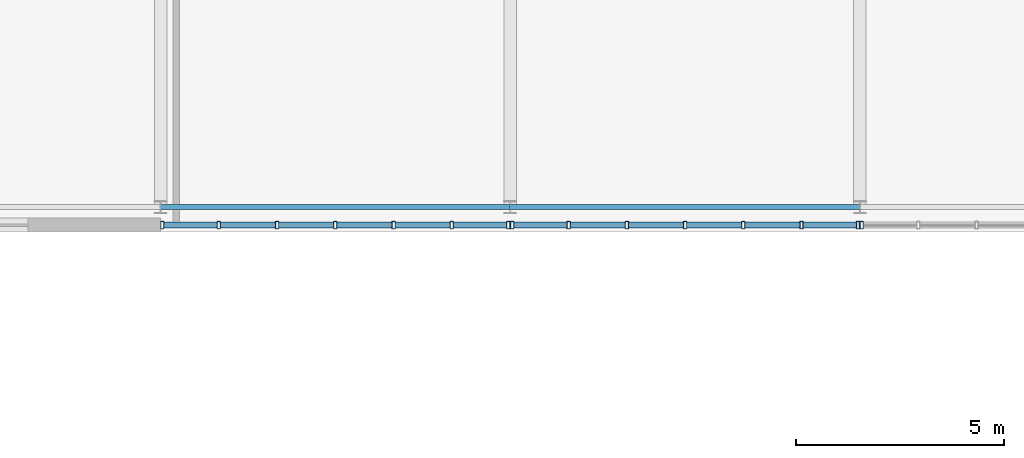
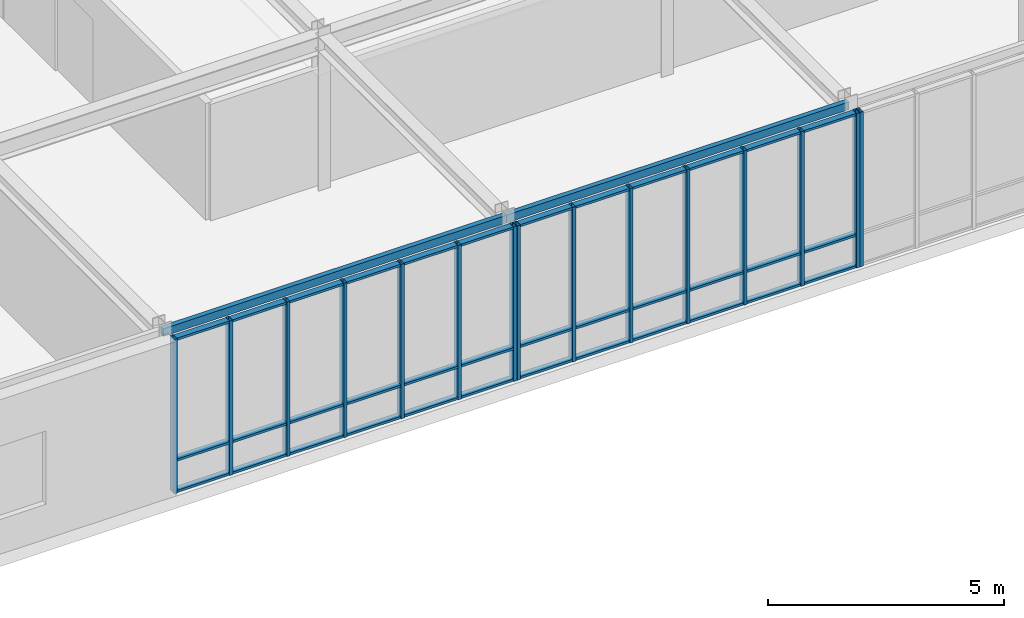
# One storey, part 80 of 127: 51 members, 2 beams, 3 elements without a shape of their own.
"""IFC4 building model written with IfcOpenShell, lengths in metres."""

from ifc_helpers import new_model, si_unit, direction, frame, origin, origin_2d, place, context, subcontext, project, spatial, hollow_rectangle, extrude, material, layer, layer_set, material_profile, profile_set, type_object, element, aggregate, save


model = new_model("IFC4")

# Units and contexts
model_context = context("Model", 3, precision=1e-05, world=origin(), true_north=direction((0.0, 1.0)))
body_context = subcontext(model_context, "Body", "Model", "MODEL_VIEW")
ifc_project = project(units=[si_unit("LENGTHUNIT", "METRE"), si_unit("AREAUNIT", "SQUARE_METRE"), si_unit("VOLUMEUNIT", "CUBIC_METRE"), si_unit("PLANEANGLEUNIT", "RADIAN"), si_unit("MASSUNIT", "GRAM", prefix="KILO")], contexts=[model_context])

# Site, building, storey
site_placement = place(None, origin())
site = spatial("IfcSite", under=ifc_project, at=site_placement, CompositionType="ELEMENT")
building_placement = place(site_placement, origin())
building = spatial("IfcBuilding", under=site, at=building_placement, Name="Zayran Congress Hotel", CompositionType="ELEMENT")
storey_placement = place(building_placement, frame((0.0, 0.0, 10.800048828125)))
storey = spatial("IfcBuildingStorey", under=building, at=storey_placement, Name="L02", CompositionType="ELEMENT", Elevation=10.800048828125)

# Beams
ifc_material_1 = material(Name="Steel S355", Category="steel")
ifc_material_profile_1 = material_profile(ifc_material_1, hollow_rectangle(XDim=0.1201171875, YDim=0.199951171875, WallThickness=0.008056640625, at=origin_2d()), Name="RHS 200x120x8")
ifc_profile_set_1 = profile_set([ifc_material_profile_1], Name="Steel S355")
beam_type = type_object("IfcBeamType", Name="TP-SP-02", PredefinedType="SPANDREL", material=ifc_profile_set_1)
beam_1_placement = place(storey_placement, frame((151.199951171875, 85.0, 3.89990234375), z_axis=(1.0, 0.0, 0.0), x_axis=(0.0, 1.0, 0.0)))
element("IfcBeam", 1, at=beam_1_placement, inside=storey, type_object=beam_type, Name="BM-V2-L02-1010", PredefinedType="SPANDREL", context=body_context, shape_type="SweptSolid", body=[
    extrude(hollow_rectangle(XDim=0.1201171875, YDim=0.199951171875, WallThickness=0.008056640625, at=origin_2d()), origin(), (0.0, 0.0, 1.0), 8.400146484375),
])
beam_2_placement = place(storey_placement, frame((159.60009765625, 85.0, 3.89990234375), z_axis=(1.0, 0.0, 0.0), x_axis=(0.0, 1.0, 0.0)))
element("IfcBeam", 2, at=beam_2_placement, inside=storey, type_object=beam_type, Name="BM-V2-L02-1011", PredefinedType="SPANDREL", context=body_context, shape_type="SweptSolid", body=[
    extrude(hollow_rectangle(XDim=0.1201171875, YDim=0.199951171875, WallThickness=0.008056640625, at=origin_2d()), origin(), (0.0, 0.0, 1.0), 8.39990234375),
])

# Curtain wall, members
ifc_material_2 = material(Name="Anodised aluminium and low-E insulated glass", Category="aluminium")
ifc_layer_1 = layer(ifc_material_2, 0.179931640625)
ifc_layer_set_1 = layer_set([ifc_layer_1], Name="Anodised aluminium and low-E insulated glass")
curtain_wall_type_1 = type_object("IfcCurtainWallType", Name="CW-V2S-L02-CW-V22-8395-4000", PredefinedType="USERDEFINED", material=ifc_layer_set_1)
curtain_wall_1_placement = place(storey_placement, origin())
curtain_wall_1 = element("IfcCurtainWall", 3, at=curtain_wall_1_placement, inside=storey, type_object=curtain_wall_type_1, Name="CW-V2S-L02-1", ObjectType="CURTAIN WALL", PredefinedType="USERDEFINED")
ifc_material_3 = material(Name="Anodised aluminium framing", Category="aluminium")
ifc_material_profile_2 = material_profile(ifc_material_3, hollow_rectangle(XDim=0.080078125, YDim=0.179931640625, WallThickness=0.0048828125, at=origin_2d()), Name="RHS 180x80x5")
ifc_profile_set_2 = profile_set([ifc_material_profile_2], Name="Anodised aluminium framing")
member_type_1 = type_object("IfcMemberType", Name="TP-CWM-01", PredefinedType="MULLION", material=ifc_profile_set_2)
member_1_placement = place(storey_placement, frame((151.239990234375, 84.570068359375, 0.0), z_axis=(0.0, 0.0, 1.0), x_axis=(1.0, 0.0, 0.0)))
member_1 = element("IfcMember", 4, at=member_1_placement, type_object=member_type_1, Name="CW-V2S-L02-1-M00", PredefinedType="MULLION", context=body_context, shape_type="SweptSolid", body=[
    extrude(hollow_rectangle(XDim=0.080078125, YDim=0.179931640625, WallThickness=0.0048828125, at=origin_2d()), origin(), (0.0, 0.0, 1.0), 4.0),
])
member_2_placement = place(storey_placement, frame((152.59912109375, 84.570068359375, 0.0), z_axis=(0.0, 0.0, 1.0), x_axis=(1.0, 0.0, 0.0)))
member_2 = element("IfcMember", 5, at=member_2_placement, type_object=member_type_1, Name="CW-V2S-L02-1-M01", PredefinedType="MULLION", context=body_context, shape_type="SweptSolid", body=[
    extrude(hollow_rectangle(XDim=0.080078125, YDim=0.179931640625, WallThickness=0.0048828125, at=origin_2d()), origin(), (0.0, 0.0, 1.0), 4.0),
])
member_3_placement = place(storey_placement, frame((153.998291015625, 84.570068359375, 0.0), z_axis=(0.0, 0.0, 1.0), x_axis=(1.0, 0.0, 0.0)))
member_3 = element("IfcMember", 6, at=member_3_placement, type_object=member_type_1, Name="CW-V2S-L02-1-M02", PredefinedType="MULLION", context=body_context, shape_type="SweptSolid", body=[
    extrude(hollow_rectangle(XDim=0.080078125, YDim=0.179931640625, WallThickness=0.0048828125, at=origin_2d()), origin(), (0.0, 0.0, 1.0), 4.0),
])
member_4_placement = place(storey_placement, frame((155.3974609375, 84.570068359375, 0.0), z_axis=(0.0, 0.0, 1.0), x_axis=(1.0, 0.0, 0.0)))
member_4 = element("IfcMember", 7, at=member_4_placement, type_object=member_type_1, Name="CW-V2S-L02-1-M03", PredefinedType="MULLION", context=body_context, shape_type="SweptSolid", body=[
    extrude(hollow_rectangle(XDim=0.080078125, YDim=0.179931640625, WallThickness=0.0048828125, at=origin_2d()), origin(), (0.0, 0.0, 1.0), 4.0),
])
member_5_placement = place(storey_placement, frame((156.796630859375, 84.570068359375, 0.0), z_axis=(0.0, 0.0, 1.0), x_axis=(1.0, 0.0, 0.0)))
member_5 = element("IfcMember", 8, at=member_5_placement, type_object=member_type_1, Name="CW-V2S-L02-1-M04", PredefinedType="MULLION", context=body_context, shape_type="SweptSolid", body=[
    extrude(hollow_rectangle(XDim=0.080078125, YDim=0.179931640625, WallThickness=0.0048828125, at=origin_2d()), origin(), (0.0, 0.0, 1.0), 4.0),
])
member_6_placement = place(storey_placement, frame((158.19580078125, 84.570068359375, 0.0), z_axis=(0.0, 0.0, 1.0), x_axis=(1.0, 0.0, 0.0)))
member_6 = element("IfcMember", 9, at=member_6_placement, type_object=member_type_1, Name="CW-V2S-L02-1-M05", PredefinedType="MULLION", context=body_context, shape_type="SweptSolid", body=[
    extrude(hollow_rectangle(XDim=0.080078125, YDim=0.179931640625, WallThickness=0.0048828125, at=origin_2d()), origin(), (0.0, 0.0, 1.0), 4.0),
])
member_7_placement = place(storey_placement, frame((159.554931640625, 84.570068359375, 0.0), z_axis=(0.0, 0.0, 1.0), x_axis=(1.0, 0.0, 0.0)))
member_7 = element("IfcMember", 10, at=member_7_placement, type_object=member_type_1, Name="CW-V2S-L02-1-M06", PredefinedType="MULLION", context=body_context, shape_type="SweptSolid", body=[
    extrude(hollow_rectangle(XDim=0.080078125, YDim=0.179931640625, WallThickness=0.0048828125, at=origin_2d()), origin(), (0.0, 0.0, 1.0), 4.0),
])

ifc_layer_2 = layer(ifc_material_2, 0.179931640625)
ifc_layer_set_2 = layer_set([ifc_layer_2], Name="Anodised aluminium and low-E insulated glass")
curtain_wall_type_2 = type_object("IfcCurtainWallType", Name="CW-V2S-L02-CW-V21-8390-4000", PredefinedType="USERDEFINED", material=ifc_layer_set_2)
curtain_wall_2_placement = place(storey_placement, origin())
curtain_wall_2 = element("IfcCurtainWall", 11, at=curtain_wall_2_placement, inside=storey, type_object=curtain_wall_type_2, Name="CW-V2S-L02-2", ObjectType="CURTAIN WALL", PredefinedType="USERDEFINED")
member_8_placement = place(storey_placement, frame((159.64501953125, 84.570068359375, 0.0), z_axis=(0.0, 0.0, 1.0), x_axis=(1.0, 0.0, 0.0)))
member_8 = element("IfcMember", 12, at=member_8_placement, type_object=member_type_1, Name="CW-V2S-L02-2-M00", PredefinedType="MULLION", context=body_context, shape_type="SweptSolid", body=[
    extrude(hollow_rectangle(XDim=0.080078125, YDim=0.179931640625, WallThickness=0.0048828125, at=origin_2d()), origin(), (0.0, 0.0, 1.0), 4.0),
])
member_9_placement = place(storey_placement, frame((161.00341796875, 84.570068359375, 0.0), z_axis=(0.0, 0.0, 1.0), x_axis=(1.0, 0.0, 0.0)))
member_9 = element("IfcMember", 13, at=member_9_placement, type_object=member_type_1, Name="CW-V2S-L02-2-M01", PredefinedType="MULLION", context=body_context, shape_type="SweptSolid", body=[
    extrude(hollow_rectangle(XDim=0.080078125, YDim=0.179931640625, WallThickness=0.0048828125, at=origin_2d()), origin(), (0.0, 0.0, 1.0), 4.0),
])
member_10_placement = place(storey_placement, frame((162.401611328125, 84.570068359375, 0.0), z_axis=(0.0, 0.0, 1.0), x_axis=(1.0, 0.0, 0.0)))
member_10 = element("IfcMember", 14, at=member_10_placement, type_object=member_type_1, Name="CW-V2S-L02-2-M02", PredefinedType="MULLION", context=body_context, shape_type="SweptSolid", body=[
    extrude(hollow_rectangle(XDim=0.080078125, YDim=0.179931640625, WallThickness=0.0048828125, at=origin_2d()), origin(), (0.0, 0.0, 1.0), 4.0),
])
member_11_placement = place(storey_placement, frame((163.800048828125, 84.570068359375, 0.0), z_axis=(0.0, 0.0, 1.0), x_axis=(1.0, 0.0, 0.0)))
member_11 = element("IfcMember", 15, at=member_11_placement, type_object=member_type_1, Name="CW-V2S-L02-2-M03", PredefinedType="MULLION", context=body_context, shape_type="SweptSolid", body=[
    extrude(hollow_rectangle(XDim=0.080078125, YDim=0.179931640625, WallThickness=0.0048828125, at=origin_2d()), origin(), (0.0, 0.0, 1.0), 4.0),
])
member_12_placement = place(storey_placement, frame((165.1982421875, 84.570068359375, 0.0), z_axis=(0.0, 0.0, 1.0), x_axis=(1.0, 0.0, 0.0)))
member_12 = element("IfcMember", 16, at=member_12_placement, type_object=member_type_1, Name="CW-V2S-L02-2-M04", PredefinedType="MULLION", context=body_context, shape_type="SweptSolid", body=[
    extrude(hollow_rectangle(XDim=0.080078125, YDim=0.179931640625, WallThickness=0.0048828125, at=origin_2d()), origin(), (0.0, 0.0, 1.0), 4.0),
])
member_13_placement = place(storey_placement, frame((166.5966796875, 84.570068359375, 0.0), z_axis=(0.0, 0.0, 1.0), x_axis=(1.0, 0.0, 0.0)))
member_13 = element("IfcMember", 17, at=member_13_placement, type_object=member_type_1, Name="CW-V2S-L02-2-M05", PredefinedType="MULLION", context=body_context, shape_type="SweptSolid", body=[
    extrude(hollow_rectangle(XDim=0.080078125, YDim=0.179931640625, WallThickness=0.0048828125, at=origin_2d()), origin(), (0.0, 0.0, 1.0), 4.0),
])
member_14_placement = place(storey_placement, frame((167.955078125, 84.570068359375, 0.0), z_axis=(0.0, 0.0, 1.0), x_axis=(1.0, 0.0, 0.0)))
member_14 = element("IfcMember", 18, at=member_14_placement, type_object=member_type_1, Name="CW-V2S-L02-2-M06", PredefinedType="MULLION", context=body_context, shape_type="SweptSolid", body=[
    extrude(hollow_rectangle(XDim=0.080078125, YDim=0.179931640625, WallThickness=0.0048828125, at=origin_2d()), origin(), (0.0, 0.0, 1.0), 4.0),
])

# Curtain wall, member
ifc_layer_3 = layer(ifc_material_2, 0.179931640625)
ifc_layer_set_3 = layer_set([ifc_layer_3], Name="Anodised aluminium and low-E insulated glass")
curtain_wall_type_3 = type_object("IfcCurtainWallType", Name="CW-V2S-L02-CW-V22-8390-4000", PredefinedType="USERDEFINED", material=ifc_layer_set_3)
curtain_wall_3_placement = place(storey_placement, origin())
curtain_wall_3 = element("IfcCurtainWall", 19, at=curtain_wall_3_placement, inside=storey, type_object=curtain_wall_type_3, Name="CW-V2S-L02-3", ObjectType="CURTAIN WALL", PredefinedType="USERDEFINED")
member_15_placement = place(storey_placement, frame((168.044921875, 84.570068359375, 0.0), z_axis=(0.0, 0.0, 1.0), x_axis=(1.0, 0.0, 0.0)))
member_15 = element("IfcMember", 20, at=member_15_placement, type_object=member_type_1, Name="CW-V2S-L02-3-M00", PredefinedType="MULLION", context=body_context, shape_type="SweptSolid", body=[
    extrude(hollow_rectangle(XDim=0.080078125, YDim=0.179931640625, WallThickness=0.0048828125, at=origin_2d()), origin(), (0.0, 0.0, 1.0), 4.0),
])
aggregate(curtain_wall_3, [member_15])

# Member
ifc_material_profile_3 = material_profile(ifc_material_3, hollow_rectangle(XDim=0.06005859375, YDim=0.14990234375, WallThickness=0.00390625, at=origin_2d()), Name="RHS 150x60x4")
ifc_profile_set_3 = profile_set([ifc_material_profile_3], Name="Anodised aluminium framing")
member_type_2 = type_object("IfcMemberType", Name="TP-CWT-01", PredefinedType="USERDEFINED", material=ifc_profile_set_3)
member_16_placement = place(storey_placement, frame((151.280029296875, 84.570068359375, 0.030029296875), z_axis=(1.0, 0.0, 0.0), x_axis=(0.0, 0.0, 1.0)))
member_16 = element("IfcMember", 21, at=member_16_placement, type_object=member_type_2, Name="CW-V2S-L02-1-T00-0", ObjectType="TRANSOM", PredefinedType="USERDEFINED", context=body_context, shape_type="SweptSolid", body=[
    extrude(hollow_rectangle(XDim=0.06005859375, YDim=0.14990234375, WallThickness=0.00390625, at=origin_2d()), origin(), (0.0, 0.0, 1.0), 1.279052734375),
])

member_17_placement = place(storey_placement, frame((151.280029296875, 84.570068359375, 0.83984375), z_axis=(1.0, 0.0, 0.0), x_axis=(0.0, 0.0, 1.0)))
member_17 = element("IfcMember", 22, at=member_17_placement, type_object=member_type_2, Name="CW-V2S-L02-1-T00-1", ObjectType="TRANSOM", PredefinedType="USERDEFINED", context=body_context, shape_type="SweptSolid", body=[
    extrude(hollow_rectangle(XDim=0.06005859375, YDim=0.14990234375, WallThickness=0.00390625, at=origin_2d()), origin(), (0.0, 0.0, 1.0), 1.279052734375),
])

member_18_placement = place(storey_placement, frame((151.280029296875, 84.570068359375, 3.969970703125), z_axis=(1.0, 0.0, 0.0), x_axis=(0.0, 0.0, 1.0)))
member_18 = element("IfcMember", 23, at=member_18_placement, type_object=member_type_2, Name="CW-V2S-L02-1-T00-2", ObjectType="TRANSOM", PredefinedType="USERDEFINED", context=body_context, shape_type="SweptSolid", body=[
    extrude(hollow_rectangle(XDim=0.06005859375, YDim=0.14990234375, WallThickness=0.00390625, at=origin_2d()), origin(), (0.0, 0.0, 1.0), 1.279052734375),
])

member_19_placement = place(storey_placement, frame((152.63916015625, 84.570068359375, 0.030029296875), z_axis=(1.0, 0.0, 0.0), x_axis=(0.0, 0.0, 1.0)))
member_19 = element("IfcMember", 24, at=member_19_placement, type_object=member_type_2, Name="CW-V2S-L02-1-T01-0", ObjectType="TRANSOM", PredefinedType="USERDEFINED", context=body_context, shape_type="SweptSolid", body=[
    extrude(hollow_rectangle(XDim=0.06005859375, YDim=0.14990234375, WallThickness=0.00390625, at=origin_2d()), origin(), (0.0, 0.0, 1.0), 1.319091796875),
])

member_20_placement = place(storey_placement, frame((152.63916015625, 84.570068359375, 0.83984375), z_axis=(1.0, 0.0, 0.0), x_axis=(0.0, 0.0, 1.0)))
member_20 = element("IfcMember", 25, at=member_20_placement, type_object=member_type_2, Name="CW-V2S-L02-1-T01-1", ObjectType="TRANSOM", PredefinedType="USERDEFINED", context=body_context, shape_type="SweptSolid", body=[
    extrude(hollow_rectangle(XDim=0.06005859375, YDim=0.14990234375, WallThickness=0.00390625, at=origin_2d()), origin(), (0.0, 0.0, 1.0), 1.319091796875),
])

member_21_placement = place(storey_placement, frame((152.63916015625, 84.570068359375, 3.969970703125), z_axis=(1.0, 0.0, 0.0), x_axis=(0.0, 0.0, 1.0)))
member_21 = element("IfcMember", 26, at=member_21_placement, type_object=member_type_2, Name="CW-V2S-L02-1-T01-2", ObjectType="TRANSOM", PredefinedType="USERDEFINED", context=body_context, shape_type="SweptSolid", body=[
    extrude(hollow_rectangle(XDim=0.06005859375, YDim=0.14990234375, WallThickness=0.00390625, at=origin_2d()), origin(), (0.0, 0.0, 1.0), 1.319091796875),
])

member_22_placement = place(storey_placement, frame((154.038330078125, 84.570068359375, 0.030029296875), z_axis=(1.0, 0.0, 0.0), x_axis=(0.0, 0.0, 1.0)))
member_22 = element("IfcMember", 27, at=member_22_placement, type_object=member_type_2, Name="CW-V2S-L02-1-T02-0", ObjectType="TRANSOM", PredefinedType="USERDEFINED", context=body_context, shape_type="SweptSolid", body=[
    extrude(hollow_rectangle(XDim=0.06005859375, YDim=0.14990234375, WallThickness=0.00390625, at=origin_2d()), origin(), (0.0, 0.0, 1.0), 1.319091796875),
])

member_23_placement = place(storey_placement, frame((154.038330078125, 84.570068359375, 0.83984375), z_axis=(1.0, 0.0, 0.0), x_axis=(0.0, 0.0, 1.0)))
member_23 = element("IfcMember", 28, at=member_23_placement, type_object=member_type_2, Name="CW-V2S-L02-1-T02-1", ObjectType="TRANSOM", PredefinedType="USERDEFINED", context=body_context, shape_type="SweptSolid", body=[
    extrude(hollow_rectangle(XDim=0.06005859375, YDim=0.14990234375, WallThickness=0.00390625, at=origin_2d()), origin(), (0.0, 0.0, 1.0), 1.319091796875),
])

member_24_placement = place(storey_placement, frame((154.038330078125, 84.570068359375, 3.969970703125), z_axis=(1.0, 0.0, 0.0), x_axis=(0.0, 0.0, 1.0)))
member_24 = element("IfcMember", 29, at=member_24_placement, type_object=member_type_2, Name="CW-V2S-L02-1-T02-2", ObjectType="TRANSOM", PredefinedType="USERDEFINED", context=body_context, shape_type="SweptSolid", body=[
    extrude(hollow_rectangle(XDim=0.06005859375, YDim=0.14990234375, WallThickness=0.00390625, at=origin_2d()), origin(), (0.0, 0.0, 1.0), 1.319091796875),
])

member_25_placement = place(storey_placement, frame((155.4375, 84.570068359375, 0.030029296875), z_axis=(1.0, 0.0, 0.0), x_axis=(0.0, 0.0, 1.0)))
member_25 = element("IfcMember", 30, at=member_25_placement, type_object=member_type_2, Name="CW-V2S-L02-1-T03-0", ObjectType="TRANSOM", PredefinedType="USERDEFINED", context=body_context, shape_type="SweptSolid", body=[
    extrude(hollow_rectangle(XDim=0.06005859375, YDim=0.14990234375, WallThickness=0.00390625, at=origin_2d()), origin(), (0.0, 0.0, 1.0), 1.319091796875),
])

member_26_placement = place(storey_placement, frame((155.4375, 84.570068359375, 0.83984375), z_axis=(1.0, 0.0, 0.0), x_axis=(0.0, 0.0, 1.0)))
member_26 = element("IfcMember", 31, at=member_26_placement, type_object=member_type_2, Name="CW-V2S-L02-1-T03-1", ObjectType="TRANSOM", PredefinedType="USERDEFINED", context=body_context, shape_type="SweptSolid", body=[
    extrude(hollow_rectangle(XDim=0.06005859375, YDim=0.14990234375, WallThickness=0.00390625, at=origin_2d()), origin(), (0.0, 0.0, 1.0), 1.319091796875),
])

member_27_placement = place(storey_placement, frame((155.4375, 84.570068359375, 3.969970703125), z_axis=(1.0, 0.0, 0.0), x_axis=(0.0, 0.0, 1.0)))
member_27 = element("IfcMember", 32, at=member_27_placement, type_object=member_type_2, Name="CW-V2S-L02-1-T03-2", ObjectType="TRANSOM", PredefinedType="USERDEFINED", context=body_context, shape_type="SweptSolid", body=[
    extrude(hollow_rectangle(XDim=0.06005859375, YDim=0.14990234375, WallThickness=0.00390625, at=origin_2d()), origin(), (0.0, 0.0, 1.0), 1.319091796875),
])

member_28_placement = place(storey_placement, frame((156.836669921875, 84.570068359375, 0.030029296875), z_axis=(1.0, 0.0, 0.0), x_axis=(0.0, 0.0, 1.0)))
member_28 = element("IfcMember", 33, at=member_28_placement, type_object=member_type_2, Name="CW-V2S-L02-1-T04-0", ObjectType="TRANSOM", PredefinedType="USERDEFINED", context=body_context, shape_type="SweptSolid", body=[
    extrude(hollow_rectangle(XDim=0.06005859375, YDim=0.14990234375, WallThickness=0.00390625, at=origin_2d()), origin(), (0.0, 0.0, 1.0), 1.319091796875),
])

member_29_placement = place(storey_placement, frame((156.836669921875, 84.570068359375, 0.83984375), z_axis=(1.0, 0.0, 0.0), x_axis=(0.0, 0.0, 1.0)))
member_29 = element("IfcMember", 34, at=member_29_placement, type_object=member_type_2, Name="CW-V2S-L02-1-T04-1", ObjectType="TRANSOM", PredefinedType="USERDEFINED", context=body_context, shape_type="SweptSolid", body=[
    extrude(hollow_rectangle(XDim=0.06005859375, YDim=0.14990234375, WallThickness=0.00390625, at=origin_2d()), origin(), (0.0, 0.0, 1.0), 1.319091796875),
])

member_30_placement = place(storey_placement, frame((156.836669921875, 84.570068359375, 3.969970703125), z_axis=(1.0, 0.0, 0.0), x_axis=(0.0, 0.0, 1.0)))
member_30 = element("IfcMember", 35, at=member_30_placement, type_object=member_type_2, Name="CW-V2S-L02-1-T04-2", ObjectType="TRANSOM", PredefinedType="USERDEFINED", context=body_context, shape_type="SweptSolid", body=[
    extrude(hollow_rectangle(XDim=0.06005859375, YDim=0.14990234375, WallThickness=0.00390625, at=origin_2d()), origin(), (0.0, 0.0, 1.0), 1.319091796875),
])

member_31_placement = place(storey_placement, frame((158.23583984375, 84.570068359375, 0.030029296875), z_axis=(1.0, 0.0, 0.0), x_axis=(0.0, 0.0, 1.0)))
member_31 = element("IfcMember", 36, at=member_31_placement, type_object=member_type_2, Name="CW-V2S-L02-1-T05-0", ObjectType="TRANSOM", PredefinedType="USERDEFINED", context=body_context, shape_type="SweptSolid", body=[
    extrude(hollow_rectangle(XDim=0.06005859375, YDim=0.14990234375, WallThickness=0.00390625, at=origin_2d()), origin(), (0.0, 0.0, 1.0), 1.279052734375),
])

member_32_placement = place(storey_placement, frame((158.23583984375, 84.570068359375, 0.83984375), z_axis=(1.0, 0.0, 0.0), x_axis=(0.0, 0.0, 1.0)))
member_32 = element("IfcMember", 37, at=member_32_placement, type_object=member_type_2, Name="CW-V2S-L02-1-T05-1", ObjectType="TRANSOM", PredefinedType="USERDEFINED", context=body_context, shape_type="SweptSolid", body=[
    extrude(hollow_rectangle(XDim=0.06005859375, YDim=0.14990234375, WallThickness=0.00390625, at=origin_2d()), origin(), (0.0, 0.0, 1.0), 1.279052734375),
])

member_33_placement = place(storey_placement, frame((158.23583984375, 84.570068359375, 3.969970703125), z_axis=(1.0, 0.0, 0.0), x_axis=(0.0, 0.0, 1.0)))
member_33 = element("IfcMember", 38, at=member_33_placement, type_object=member_type_2, Name="CW-V2S-L02-1-T05-2", ObjectType="TRANSOM", PredefinedType="USERDEFINED", context=body_context, shape_type="SweptSolid", body=[
    extrude(hollow_rectangle(XDim=0.06005859375, YDim=0.14990234375, WallThickness=0.00390625, at=origin_2d()), origin(), (0.0, 0.0, 1.0), 1.279052734375),
])

aggregate(curtain_wall_1, [member_1, member_2, member_3, member_4, member_5, member_6, member_7, member_16, member_17, member_18, member_19, member_20, member_21, member_22, member_23, member_24, member_25, member_26, member_27, member_28, member_29, member_30, member_31, member_32, member_33])

member_34_placement = place(storey_placement, frame((159.68505859375, 84.570068359375, 0.030029296875), z_axis=(1.0, 0.0, 0.0), x_axis=(0.0, 0.0, 1.0)))
member_34 = element("IfcMember", 39, at=member_34_placement, type_object=member_type_2, Name="CW-V2S-L02-2-T00-0", ObjectType="TRANSOM", PredefinedType="USERDEFINED", context=body_context, shape_type="SweptSolid", body=[
    extrude(hollow_rectangle(XDim=0.06005859375, YDim=0.14990234375, WallThickness=0.00390625, at=origin_2d()), origin(), (0.0, 0.0, 1.0), 1.2783203125),
])

member_35_placement = place(storey_placement, frame((159.68505859375, 84.570068359375, 0.83984375), z_axis=(1.0, 0.0, 0.0), x_axis=(0.0, 0.0, 1.0)))
member_35 = element("IfcMember", 40, at=member_35_placement, type_object=member_type_2, Name="CW-V2S-L02-2-T00-1", ObjectType="TRANSOM", PredefinedType="USERDEFINED", context=body_context, shape_type="SweptSolid", body=[
    extrude(hollow_rectangle(XDim=0.06005859375, YDim=0.14990234375, WallThickness=0.00390625, at=origin_2d()), origin(), (0.0, 0.0, 1.0), 1.2783203125),
])

member_36_placement = place(storey_placement, frame((159.68505859375, 84.570068359375, 3.969970703125), z_axis=(1.0, 0.0, 0.0), x_axis=(0.0, 0.0, 1.0)))
member_36 = element("IfcMember", 41, at=member_36_placement, type_object=member_type_2, Name="CW-V2S-L02-2-T00-2", ObjectType="TRANSOM", PredefinedType="USERDEFINED", context=body_context, shape_type="SweptSolid", body=[
    extrude(hollow_rectangle(XDim=0.06005859375, YDim=0.14990234375, WallThickness=0.00390625, at=origin_2d()), origin(), (0.0, 0.0, 1.0), 1.2783203125),
])

member_37_placement = place(storey_placement, frame((161.043212890625, 84.570068359375, 0.030029296875), z_axis=(1.0, 0.0, 0.0), x_axis=(0.0, 0.0, 1.0)))
member_37 = element("IfcMember", 42, at=member_37_placement, type_object=member_type_2, Name="CW-V2S-L02-2-T01-0", ObjectType="TRANSOM", PredefinedType="USERDEFINED", context=body_context, shape_type="SweptSolid", body=[
    extrude(hollow_rectangle(XDim=0.06005859375, YDim=0.14990234375, WallThickness=0.00390625, at=origin_2d()), origin(), (0.0, 0.0, 1.0), 1.318603515625),
])

member_38_placement = place(storey_placement, frame((161.043212890625, 84.570068359375, 0.83984375), z_axis=(1.0, 0.0, 0.0), x_axis=(0.0, 0.0, 1.0)))
member_38 = element("IfcMember", 43, at=member_38_placement, type_object=member_type_2, Name="CW-V2S-L02-2-T01-1", ObjectType="TRANSOM", PredefinedType="USERDEFINED", context=body_context, shape_type="SweptSolid", body=[
    extrude(hollow_rectangle(XDim=0.06005859375, YDim=0.14990234375, WallThickness=0.00390625, at=origin_2d()), origin(), (0.0, 0.0, 1.0), 1.318603515625),
])

member_39_placement = place(storey_placement, frame((161.043212890625, 84.570068359375, 3.969970703125), z_axis=(1.0, 0.0, 0.0), x_axis=(0.0, 0.0, 1.0)))
member_39 = element("IfcMember", 44, at=member_39_placement, type_object=member_type_2, Name="CW-V2S-L02-2-T01-2", ObjectType="TRANSOM", PredefinedType="USERDEFINED", context=body_context, shape_type="SweptSolid", body=[
    extrude(hollow_rectangle(XDim=0.06005859375, YDim=0.14990234375, WallThickness=0.00390625, at=origin_2d()), origin(), (0.0, 0.0, 1.0), 1.318603515625),
])

member_40_placement = place(storey_placement, frame((162.441650390625, 84.570068359375, 0.030029296875), z_axis=(1.0, 0.0, 0.0), x_axis=(0.0, 0.0, 1.0)))
member_40 = element("IfcMember", 45, at=member_40_placement, type_object=member_type_2, Name="CW-V2S-L02-2-T02-0", ObjectType="TRANSOM", PredefinedType="USERDEFINED", context=body_context, shape_type="SweptSolid", body=[
    extrude(hollow_rectangle(XDim=0.06005859375, YDim=0.14990234375, WallThickness=0.00390625, at=origin_2d()), origin(), (0.0, 0.0, 1.0), 1.318359375),
])

member_41_placement = place(storey_placement, frame((162.441650390625, 84.570068359375, 0.83984375), z_axis=(1.0, 0.0, 0.0), x_axis=(0.0, 0.0, 1.0)))
member_41 = element("IfcMember", 46, at=member_41_placement, type_object=member_type_2, Name="CW-V2S-L02-2-T02-1", ObjectType="TRANSOM", PredefinedType="USERDEFINED", context=body_context, shape_type="SweptSolid", body=[
    extrude(hollow_rectangle(XDim=0.06005859375, YDim=0.14990234375, WallThickness=0.00390625, at=origin_2d()), origin(), (0.0, 0.0, 1.0), 1.318359375),
])

member_42_placement = place(storey_placement, frame((162.441650390625, 84.570068359375, 3.969970703125), z_axis=(1.0, 0.0, 0.0), x_axis=(0.0, 0.0, 1.0)))
member_42 = element("IfcMember", 47, at=member_42_placement, type_object=member_type_2, Name="CW-V2S-L02-2-T02-2", ObjectType="TRANSOM", PredefinedType="USERDEFINED", context=body_context, shape_type="SweptSolid", body=[
    extrude(hollow_rectangle(XDim=0.06005859375, YDim=0.14990234375, WallThickness=0.00390625, at=origin_2d()), origin(), (0.0, 0.0, 1.0), 1.318359375),
])

member_43_placement = place(storey_placement, frame((163.840087890625, 84.570068359375, 0.030029296875), z_axis=(1.0, 0.0, 0.0), x_axis=(0.0, 0.0, 1.0)))
member_43 = element("IfcMember", 48, at=member_43_placement, type_object=member_type_2, Name="CW-V2S-L02-2-T03-0", ObjectType="TRANSOM", PredefinedType="USERDEFINED", context=body_context, shape_type="SweptSolid", body=[
    extrude(hollow_rectangle(XDim=0.06005859375, YDim=0.14990234375, WallThickness=0.00390625, at=origin_2d()), origin(), (0.0, 0.0, 1.0), 1.318115234375),
])

member_44_placement = place(storey_placement, frame((163.840087890625, 84.570068359375, 0.83984375), z_axis=(1.0, 0.0, 0.0), x_axis=(0.0, 0.0, 1.0)))
member_44 = element("IfcMember", 49, at=member_44_placement, type_object=member_type_2, Name="CW-V2S-L02-2-T03-1", ObjectType="TRANSOM", PredefinedType="USERDEFINED", context=body_context, shape_type="SweptSolid", body=[
    extrude(hollow_rectangle(XDim=0.06005859375, YDim=0.14990234375, WallThickness=0.00390625, at=origin_2d()), origin(), (0.0, 0.0, 1.0), 1.318115234375),
])

member_45_placement = place(storey_placement, frame((163.840087890625, 84.570068359375, 3.969970703125), z_axis=(1.0, 0.0, 0.0), x_axis=(0.0, 0.0, 1.0)))
member_45 = element("IfcMember", 50, at=member_45_placement, type_object=member_type_2, Name="CW-V2S-L02-2-T03-2", ObjectType="TRANSOM", PredefinedType="USERDEFINED", context=body_context, shape_type="SweptSolid", body=[
    extrude(hollow_rectangle(XDim=0.06005859375, YDim=0.14990234375, WallThickness=0.00390625, at=origin_2d()), origin(), (0.0, 0.0, 1.0), 1.318115234375),
])

member_46_placement = place(storey_placement, frame((165.23828125, 84.570068359375, 0.030029296875), z_axis=(1.0, 0.0, 0.0), x_axis=(0.0, 0.0, 1.0)))
member_46 = element("IfcMember", 51, at=member_46_placement, type_object=member_type_2, Name="CW-V2S-L02-2-T04-0", ObjectType="TRANSOM", PredefinedType="USERDEFINED", context=body_context, shape_type="SweptSolid", body=[
    extrude(hollow_rectangle(XDim=0.06005859375, YDim=0.14990234375, WallThickness=0.00390625, at=origin_2d()), origin(), (0.0, 0.0, 1.0), 1.318359375),
])

member_47_placement = place(storey_placement, frame((165.23828125, 84.570068359375, 0.83984375), z_axis=(1.0, 0.0, 0.0), x_axis=(0.0, 0.0, 1.0)))
member_47 = element("IfcMember", 52, at=member_47_placement, type_object=member_type_2, Name="CW-V2S-L02-2-T04-1", ObjectType="TRANSOM", PredefinedType="USERDEFINED", context=body_context, shape_type="SweptSolid", body=[
    extrude(hollow_rectangle(XDim=0.06005859375, YDim=0.14990234375, WallThickness=0.00390625, at=origin_2d()), origin(), (0.0, 0.0, 1.0), 1.318359375),
])

member_48_placement = place(storey_placement, frame((165.23828125, 84.570068359375, 3.969970703125), z_axis=(1.0, 0.0, 0.0), x_axis=(0.0, 0.0, 1.0)))
member_48 = element("IfcMember", 53, at=member_48_placement, type_object=member_type_2, Name="CW-V2S-L02-2-T04-2", ObjectType="TRANSOM", PredefinedType="USERDEFINED", context=body_context, shape_type="SweptSolid", body=[
    extrude(hollow_rectangle(XDim=0.06005859375, YDim=0.14990234375, WallThickness=0.00390625, at=origin_2d()), origin(), (0.0, 0.0, 1.0), 1.318359375),
])

member_49_placement = place(storey_placement, frame((166.63671875, 84.570068359375, 0.030029296875), z_axis=(1.0, 0.0, 0.0), x_axis=(0.0, 0.0, 1.0)))
member_49 = element("IfcMember", 54, at=member_49_placement, type_object=member_type_2, Name="CW-V2S-L02-2-T05-0", ObjectType="TRANSOM", PredefinedType="USERDEFINED", context=body_context, shape_type="SweptSolid", body=[
    extrude(hollow_rectangle(XDim=0.06005859375, YDim=0.14990234375, WallThickness=0.00390625, at=origin_2d()), origin(), (0.0, 0.0, 1.0), 1.2783203125),
])

member_50_placement = place(storey_placement, frame((166.63671875, 84.570068359375, 0.83984375), z_axis=(1.0, 0.0, 0.0), x_axis=(0.0, 0.0, 1.0)))
member_50 = element("IfcMember", 55, at=member_50_placement, type_object=member_type_2, Name="CW-V2S-L02-2-T05-1", ObjectType="TRANSOM", PredefinedType="USERDEFINED", context=body_context, shape_type="SweptSolid", body=[
    extrude(hollow_rectangle(XDim=0.06005859375, YDim=0.14990234375, WallThickness=0.00390625, at=origin_2d()), origin(), (0.0, 0.0, 1.0), 1.2783203125),
])

member_51_placement = place(storey_placement, frame((166.63671875, 84.570068359375, 3.969970703125), z_axis=(1.0, 0.0, 0.0), x_axis=(0.0, 0.0, 1.0)))
member_51 = element("IfcMember", 56, at=member_51_placement, type_object=member_type_2, Name="CW-V2S-L02-2-T05-2", ObjectType="TRANSOM", PredefinedType="USERDEFINED", context=body_context, shape_type="SweptSolid", body=[
    extrude(hollow_rectangle(XDim=0.06005859375, YDim=0.14990234375, WallThickness=0.00390625, at=origin_2d()), origin(), (0.0, 0.0, 1.0), 1.2783203125),
])

aggregate(curtain_wall_2, [member_8, member_9, member_10, member_11, member_12, member_13, member_14, member_34, member_35, member_36, member_37, member_38, member_39, member_40, member_41, member_42, member_43, member_44, member_45, member_46, member_47, member_48, member_49, member_50, member_51])

save(model, "model.ifc")
